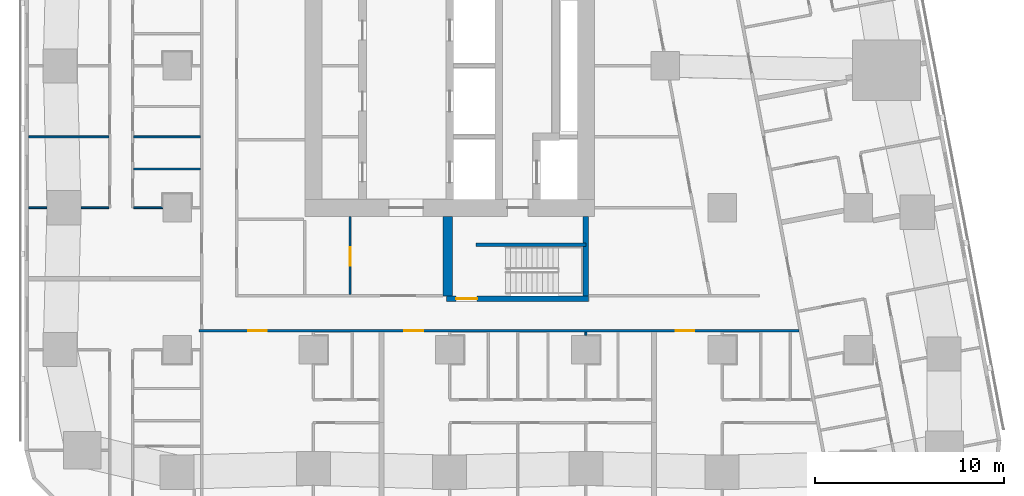
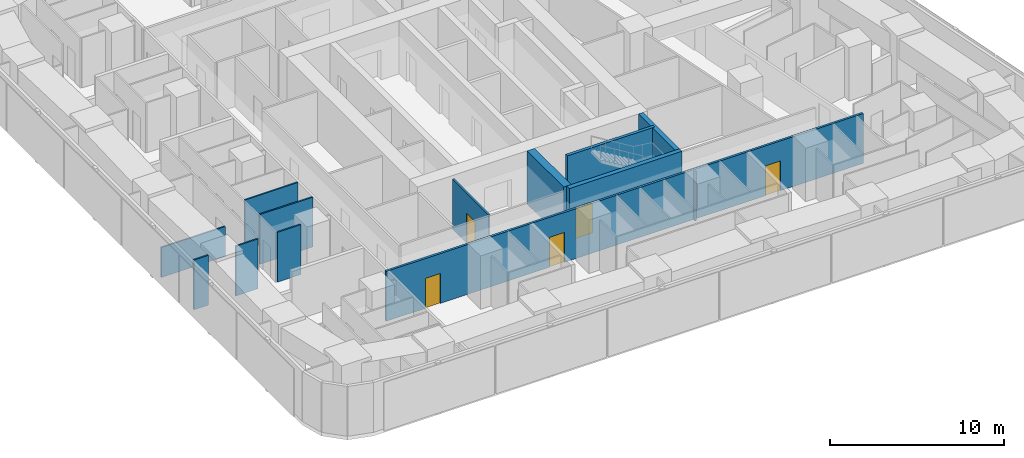
# One storey, part 4 of 15: 13 walls, 5 doors, 5 openings.
"""IFC4 building model written with IfcOpenShell, lengths in metres."""

from ifc_helpers import new_model, si_unit, direction, frame, frame_2d, origin, place, context, subcontext, project, spatial, rectangle, extrude, material, layer, layer_set, type_object, element, fill, save


model = new_model("IFC4")

# Units and contexts
model_context = context("Model", 3, precision=1e-05, world=origin(), true_north=direction((0.0, 1.0)))
body_context = subcontext(model_context, "Body", "Model", "MODEL_VIEW")
ifc_project = project(units=[si_unit("LENGTHUNIT", "METRE"), si_unit("AREAUNIT", "SQUARE_METRE"), si_unit("VOLUMEUNIT", "CUBIC_METRE"), si_unit("PLANEANGLEUNIT", "RADIAN"), si_unit("MASSUNIT", "GRAM", prefix="KILO")], contexts=[model_context])

# Site, building, storey
site_placement = place(None, origin())
site = spatial("IfcSite", under=ifc_project, at=site_placement, CompositionType="ELEMENT")
building_placement = place(site_placement, origin())
building = spatial("IfcBuilding", under=site, at=building_placement, Name="Sheger Commons Tower", CompositionType="ELEMENT")
storey_placement = place(building_placement, frame((0.0, 0.0, 139.550048828125)))
storey = spatial("IfcBuildingStorey", under=building, at=storey_placement, Name="L35", CompositionType="ELEMENT", Elevation=139.550048828125)

# Wall, openings, doors
ifc_material_1 = material(Name="Hollow concrete block masonry, skimmed both sides", Category="masonry")
ifc_layer_1 = layer(ifc_material_1, 0.14990234375)
ifc_layer_set_1 = layer_set([ifc_layer_1], Name="CORRIDOR WALL 150")
wall_type_1 = type_object("IfcWallType", Name="CORRIDOR WALL 150", PredefinedType="SOLIDWALL", material=ifc_layer_set_1)
wall_1_placement = place(storey_placement, frame((40.052978515625, 8.5, 0.0), z_axis=(0.0, 0.0, 1.0), x_axis=(-1.0, 0.0, 0.0)))
wall_1 = element("IfcWall", 1, at=wall_1_placement, inside=storey, type_object=wall_type_1, Name="Corridor wall L35", PredefinedType="SOLIDWALL", context=body_context, shape_type="SweptSolid", body=[
    extrude(rectangle(XDim=31.702880859375, YDim=0.14990234375, at=frame_2d((15.8515625, 0.0))), origin(), (0.0, 0.0, 1.0), 3.5),
])
opening_1_placement = place(wall_1_placement, frame((28.10302734375, 0.0, 0.0)))
opening_1 = element("IfcOpeningElement", 2, at=opening_1_placement, cuts=wall_1, Name="Opening D1", PredefinedType="OPENING", context=body_context, shape_type="SweptSolid", body=[
    extrude(rectangle(XDim=1.0, YDim=2.10009765625, at=frame_2d((0.5, 1.050048828125))), frame((0.0, 0.0849609375, 0.0), z_axis=(0.0, -1.0, 0.0), x_axis=(1.0, 0.0, 0.0)), (0.0, 0.0, 1.0), 0.169921875),
])
opening_2_placement = place(wall_1_placement, frame((19.85302734375, 0.0, 0.0)))
opening_2 = element("IfcOpeningElement", 3, at=opening_2_placement, cuts=wall_1, Name="Opening D1", PredefinedType="OPENING", context=body_context, shape_type="SweptSolid", body=[
    extrude(rectangle(XDim=1.0, YDim=2.10009765625, at=frame_2d((0.5, 1.050048828125))), frame((0.0, 0.0849609375, 0.0), z_axis=(0.0, -1.0, 0.0), x_axis=(1.0, 0.0, 0.0)), (0.0, 0.0, 1.0), 0.169921875),
])
opening_3_placement = place(wall_1_placement, frame((5.513916015625, 0.0, 0.0)))
opening_3 = element("IfcOpeningElement", 4, at=opening_3_placement, cuts=wall_1, Name="Opening D1", PredefinedType="OPENING", context=body_context, shape_type="SweptSolid", body=[
    extrude(rectangle(XDim=1.0, YDim=2.10009765625, at=frame_2d((0.5, 1.050048828125))), frame((0.0, 0.0849609375, 0.0), z_axis=(0.0, -1.0, 0.0), x_axis=(1.0, 0.0, 0.0)), (0.0, 0.0, 1.0), 0.169921875),
])
ifc_material_2 = material(Name="Steel door set, fire rated", Category="steel")
door_type_1 = type_object("IfcDoorType", Name="FLAT ENTRANCE DOOR 1000x2100", OperationType="NOTDEFINED", PredefinedType="DOOR", material=ifc_material_2)
door_1_placement = place(opening_1_placement, origin())
door_1 = element("IfcDoor", 5, at=door_1_placement, inside=storey, type_object=door_type_1, Name="Flat entrance door", OperationType="SINGLE_SWING_RIGHT", OverallHeight=2.10009765625, OverallWidth=1.0, PredefinedType="DOOR", context=body_context, shape_type="SweptSolid", body=[
    extrude(rectangle(XDim=1.0, YDim=2.10009765625, at=frame_2d((0.5, 1.050048828125))), frame((0.0, 0.02490234375, 0.0), z_axis=(0.0, -1.0, 0.0), x_axis=(1.0, 0.0, 0.0)), (0.0, 0.0, 1.0), 0.050048828125),
])
fill(opening_1, door_1)
door_2_placement = place(opening_2_placement, origin())
door_2 = element("IfcDoor", 6, at=door_2_placement, inside=storey, type_object=door_type_1, Name="Flat entrance door", OperationType="SINGLE_SWING_RIGHT", OverallHeight=2.10009765625, OverallWidth=1.0, PredefinedType="DOOR", context=body_context, shape_type="SweptSolid", body=[
    extrude(rectangle(XDim=1.0, YDim=2.10009765625, at=frame_2d((0.5, 1.050048828125))), frame((0.0, 0.02490234375, 0.0), z_axis=(0.0, -1.0, 0.0), x_axis=(1.0, 0.0, 0.0)), (0.0, 0.0, 1.0), 0.050048828125),
])
fill(opening_2, door_2)
door_3_placement = place(opening_3_placement, origin())
door_3 = element("IfcDoor", 7, at=door_3_placement, inside=storey, type_object=door_type_1, Name="Flat entrance door", OperationType="SINGLE_SWING_RIGHT", OverallHeight=2.10009765625, OverallWidth=1.0, PredefinedType="DOOR", context=body_context, shape_type="SweptSolid", body=[
    extrude(rectangle(XDim=1.0, YDim=2.10009765625, at=frame_2d((0.5, 1.050048828125))), frame((0.0, 0.02490234375, 0.0), z_axis=(0.0, -1.0, 0.0), x_axis=(1.0, 0.0, 0.0)), (0.0, 0.0, 1.0), 0.050048828125),
])
fill(opening_3, door_3)

# Walls
ifc_material_3 = material(Name="Gypsum board on steel studs", Category="steel")
ifc_layer_2 = layer(ifc_material_3, 0.10009765625)
ifc_layer_set_2 = layer_set([ifc_layer_2], Name="PARTITION 100")
wall_type_2 = type_object("IfcWallType", Name="PARTITION 100", PredefinedType="PARTITIONING", material=ifc_layer_set_2)
wall_2_placement = place(storey_placement, frame((-0.64990234375, 15.0, 0.0), z_axis=(0.0, 0.0, 1.0), x_axis=(1.0, 0.0, 0.0)))
element("IfcWall", 8, at=wall_2_placement, inside=storey, type_object=wall_type_2, Name="Partition L35", PredefinedType="PARTITIONING", context=body_context, shape_type="SweptSolid", body=[
    extrude(rectangle(XDim=0.973876953125, YDim=0.10009765625, at=frame_2d((0.48681640625, 0.0))), origin(), (0.0, 0.0, 1.0), 3.5),
])
wall_3_placement = place(storey_placement, frame((2.1259765625, 15.0, 0.0), z_axis=(0.0, 0.0, 1.0), x_axis=(1.0, 0.0, 0.0)))
element("IfcWall", 9, at=wall_3_placement, inside=storey, type_object=wall_type_2, Name="Partition L35", PredefinedType="PARTITIONING", context=body_context, shape_type="SweptSolid", body=[
    extrude(rectangle(XDim=1.47412109375, YDim=0.10009765625, at=frame_2d((0.737060546875, 0.0))), origin(), (0.0, 0.0, 1.0), 3.5),
])
wall_4_placement = place(storey_placement, frame((-0.64990234375, 18.75, 0.0), z_axis=(0.0, 0.0, 1.0), x_axis=(1.0, 0.0, 0.0)))
element("IfcWall", 10, at=wall_4_placement, inside=storey, type_object=wall_type_2, Name="Partition L35", PredefinedType="PARTITIONING", context=body_context, shape_type="SweptSolid", body=[
    extrude(rectangle(XDim=4.25, YDim=0.10009765625, at=frame_2d((2.125, 0.0))), origin(), (0.0, 0.0, 1.0), 2.099853515625),
])
wall_5_placement = place(storey_placement, frame((4.89990234375, 15.0, 0.0), z_axis=(0.0, 0.0, 1.0), x_axis=(1.0, 0.0, 0.0)))
element("IfcWall", 11, at=wall_5_placement, inside=storey, type_object=wall_type_2, Name="Partition L35", PredefinedType="PARTITIONING", context=body_context, shape_type="SweptSolid", body=[
    extrude(rectangle(XDim=1.549072265625, YDim=0.10009765625, at=frame_2d((0.7744140625, 0.0))), origin(), (0.0, 0.0, 1.0), 3.5),
])
for number, where, z_axis, x_axis, name in (
    (12, (4.89990234375, 18.75, 0.0), (0.0, 0.0, 1.0), (1.0, 0.0, 0.0), "Partition L35"),
    (13, (4.89990234375, 17.050048828125, 0.0), (0.0, 0.0, 1.0), (1.0, 0.0, 0.0), "Partition L35"),
):
    element("IfcWall", number, at=place(storey_placement, frame(where, z_axis=z_axis, x_axis=x_axis)), inside=storey, type_object=wall_type_2, Name=name, PredefinedType="PARTITIONING", context=body_context, shape_type="SweptSolid", body=[
        extrude(rectangle(XDim=3.525146484375, YDim=0.10009765625, at=frame_2d((1.7626953125, 0.0))), origin(), (0.0, 0.0, 1.0), 3.5),
    ])
wall_6_placement = place(storey_placement, frame((28.800048828125, 8.2509765625, 0.0), z_axis=(0.0, 0.0, 1.0), x_axis=(0.0, 1.0, 0.0)))
element("IfcWall", 14, at=wall_6_placement, inside=storey, type_object=wall_type_2, Name="Partition L35", PredefinedType="PARTITIONING", context=body_context, shape_type="SweptSolid", body=[
    extrude(rectangle(XDim=0.174072265625, YDim=0.10009765625, at=frame_2d((0.0869140625, 0.0))), origin(), (0.0, 0.0, 1.0), 3.5),
])

# Wall, opening, door
ifc_material_4 = material(Name="Gypsum board on steel studs, two layers each side, fire rated", Category="steel")
ifc_layer_3 = layer(ifc_material_4, 0.125)
ifc_layer_set_3 = layer_set([ifc_layer_3], Name="SERVICE WALL 125")
wall_type_3 = type_object("IfcWallType", Name="SERVICE WALL 125", PredefinedType="PARTITIONING", material=ifc_layer_set_3)
wall_7_placement = place(storey_placement, frame((16.340087890625, 10.4130859375, 0.0), z_axis=(0.0, 0.0, 1.0), x_axis=(0.0, 1.0, 0.0)))
wall_7 = element("IfcWall", 15, at=wall_7_placement, inside=storey, type_object=wall_type_3, Name="Service room wall L35", PredefinedType="PARTITIONING", context=body_context, shape_type="SweptSolid", body=[
    extrude(rectangle(XDim=4.136962890625, YDim=0.125, at=frame_2d((2.068359375, 0.0))), origin(), (0.0, 0.0, 1.0), 3.5),
])
opening_4_placement = place(wall_7_placement, frame((1.511962890625, 0.0, 0.0)))
opening_4 = element("IfcOpeningElement", 16, at=opening_4_placement, cuts=wall_7, Name="Opening D4", PredefinedType="OPENING", context=body_context, shape_type="SweptSolid", body=[
    extrude(rectangle(XDim=1.0, YDim=2.10009765625, at=frame_2d((0.5, 1.050048828125))), frame((0.0, 0.072509765625, 0.0), z_axis=(0.0, -1.0, 0.0), x_axis=(1.0, 0.0, 0.0)), (0.0, 0.0, 1.0), 0.14501953125),
])
ifc_material_5 = material(Name="Steel door set, fire rated", Category="steel")
door_type_2 = type_object("IfcDoorType", Name="SERVICE DOOR 1000x2100", OperationType="NOTDEFINED", PredefinedType="DOOR", material=ifc_material_5)
door_4_placement = place(opening_4_placement, origin())
door_4 = element("IfcDoor", 17, at=door_4_placement, inside=storey, type_object=door_type_2, Name="Electrical room door", OperationType="SINGLE_SWING_LEFT", OverallHeight=2.10009765625, OverallWidth=1.0, PredefinedType="DOOR", context=body_context, shape_type="SweptSolid", body=[
    extrude(rectangle(XDim=1.0, YDim=2.10009765625, at=frame_2d((0.5, 1.050048828125))), frame((0.0, 0.02490234375, 0.0), z_axis=(0.0, -1.0, 0.0), x_axis=(1.0, 0.0, 0.0)), (0.0, 0.0, 1.0), 0.050048828125),
])
fill(opening_4, door_4)

ifc_material_6 = material(Name="Concrete C50/60", Category="concrete")
ifc_layer_4 = layer(ifc_material_6, 0.300048828125)
ifc_layer_set_4 = layer_set([ifc_layer_4], Name="STAIR CORE WALL 300")
wall_type_4 = type_object("IfcWallType", Name="STAIR CORE WALL 300", PredefinedType="SHEAR", material=ifc_layer_set_4)
wall_8_placement = place(storey_placement, frame((21.449951171875, 10.199951171875, 0.0), z_axis=(0.0, 0.0, 1.0), x_axis=(1.0, 0.0, 0.0)))
wall_8 = element("IfcWall", 18, at=wall_8_placement, inside=storey, type_object=wall_type_4, Name="STW-L35-S1S", PredefinedType="SHEAR", context=body_context, shape_type="SweptSolid", body=[
    extrude(rectangle(XDim=7.5, YDim=0.300048828125, at=frame_2d((3.75, 0.0))), origin(), (0.0, 0.0, 1.0), 3.75),
])
opening_5_placement = place(wall_8_placement, frame((0.5, 0.0, 0.0)))
opening_5 = element("IfcOpeningElement", 19, at=opening_5_placement, cuts=wall_8, Name="Opening D5", PredefinedType="OPENING", context=body_context, shape_type="SweptSolid", body=[
    extrude(rectangle(XDim=1.10009765625, YDim=2.10009765625, at=frame_2d((0.550048828125, 1.050048828125))), frame((0.0, 0.159912109375, 0.0), z_axis=(0.0, -1.0, 0.0), x_axis=(1.0, 0.0, 0.0)), (0.0, 0.0, 1.0), 0.320068359375),
])
ifc_material_7 = material(Name="Steel door set, fire rated", Category="steel")
door_type_3 = type_object("IfcDoorType", Name="STAIR DOOR 1100x2100", OperationType="NOTDEFINED", PredefinedType="DOOR", material=ifc_material_7)
door_5_placement = place(opening_5_placement, origin())
door_5 = element("IfcDoor", 20, at=door_5_placement, inside=storey, type_object=door_type_3, Name="Stair S1 door", OperationType="SINGLE_SWING_LEFT", OverallHeight=2.10009765625, OverallWidth=1.10009765625, PredefinedType="DOOR", context=body_context, shape_type="SweptSolid", body=[
    extrude(rectangle(XDim=1.10009765625, YDim=2.10009765625, at=frame_2d((0.550048828125, 1.050048828125))), frame((0.0, 0.02490234375, 0.0), z_axis=(0.0, -1.0, 0.0), x_axis=(1.0, 0.0, 0.0)), (0.0, 0.0, 1.0), 0.050048828125),
])
fill(opening_5, door_5)

# Walls
wall_9_placement = place(storey_placement, frame((28.800048828125, 10.35009765625, 0.0), z_axis=(0.0, 0.0, 1.0), x_axis=(0.0, 1.0, 0.0)))
element("IfcWall", 21, at=wall_9_placement, inside=storey, type_object=wall_type_4, Name="STW-L35-S1E", PredefinedType="SHEAR", context=body_context, shape_type="SweptSolid", body=[
    extrude(rectangle(XDim=4.199951171875, YDim=0.300048828125, at=frame_2d((2.10009765625, 0.0))), origin(), (0.0, 0.0, 1.0), 3.75),
])
ifc_material_8 = material(Name="Concrete C50/60", Category="concrete")
ifc_layer_5 = layer(ifc_material_8, 0.5)
ifc_layer_set_5 = layer_set([ifc_layer_5], Name="STAIR CORE WALL 500")
wall_type_5 = type_object("IfcWallType", Name="STAIR CORE WALL 500", PredefinedType="SHEAR", material=ifc_layer_set_5)
wall_10_placement = place(storey_placement, frame((21.5, 10.35009765625, 0.0), z_axis=(0.0, 0.0, 1.0), x_axis=(0.0, 1.0, 0.0)))
element("IfcWall", 22, at=wall_10_placement, inside=storey, type_object=wall_type_5, Name="STW-L35-S1W", PredefinedType="SHEAR", context=body_context, shape_type="SweptSolid", body=[
    extrude(rectangle(XDim=4.199951171875, YDim=0.5, at=frame_2d((2.10009765625, 0.0))), origin(), (0.0, 0.0, 1.0), 3.75),
])
ifc_material_9 = material(Name="Concrete C50/60", Category="concrete")
ifc_layer_6 = layer(ifc_material_9, 0.199951171875)
ifc_layer_set_6 = layer_set([ifc_layer_6], Name="STAIR SPINE WALL 200")
wall_type_6 = type_object("IfcWallType", Name="STAIR SPINE WALL 200", PredefinedType="SHEAR", material=ifc_layer_set_6)
wall_11_placement = place(storey_placement, frame((23.0, 13.050048828125, 0.0), z_axis=(0.0, 0.0, 1.0), x_axis=(1.0, 0.0, 0.0)))
element("IfcWall", 23, at=wall_11_placement, inside=storey, type_object=wall_type_6, Name="Stair spine wall L35", PredefinedType="SHEAR", context=body_context, shape_type="SweptSolid", body=[
    extrude(rectangle(XDim=5.800048828125, YDim=0.199951171875, at=frame_2d((2.89990234375, 0.0))), origin(), (0.0, 0.0, 1.0), 3.75),
])

save(model, "model.ifc")
